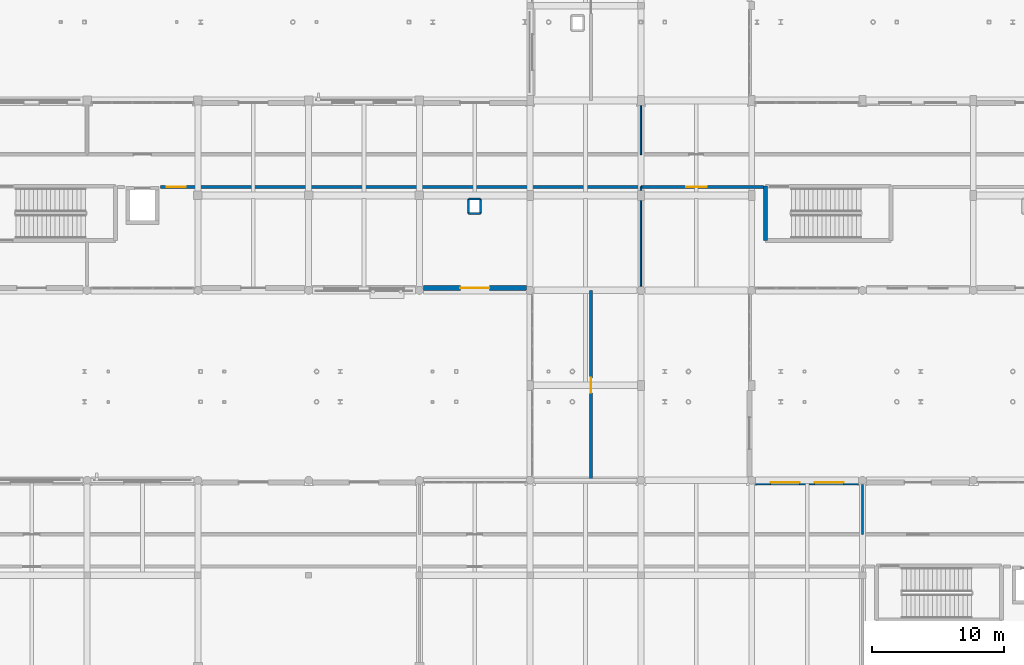
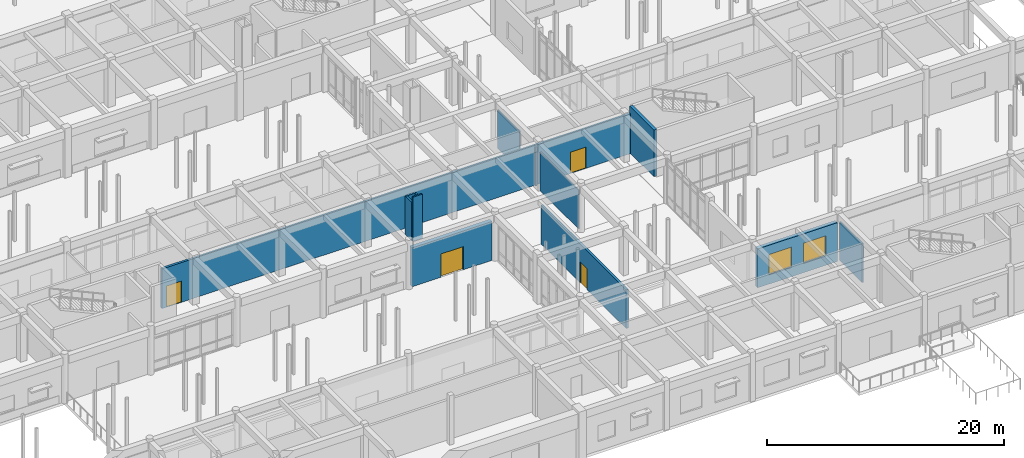
# One storey, part 76 of 121: 14 walls, 4 doors, 2 windows, 6 openings.
"""IFC4 building model written with IfcOpenShell, lengths in metres."""

from ifc_helpers import new_model, si_unit, direction, frame, frame_2d, origin, place, context, subcontext, project, spatial, rectangle, extrude, material, layer, layer_set, type_object, element, fill, save


model = new_model("IFC4")

# Units and contexts
model_context = context("Model", 3, precision=1e-05, world=origin(), true_north=direction((0.0, 1.0)))
body_context = subcontext(model_context, "Body", "Model", "MODEL_VIEW")
ifc_project = project(units=[si_unit("LENGTHUNIT", "METRE"), si_unit("AREAUNIT", "SQUARE_METRE"), si_unit("VOLUMEUNIT", "CUBIC_METRE"), si_unit("PLANEANGLEUNIT", "RADIAN"), si_unit("MASSUNIT", "GRAM", prefix="KILO")], contexts=[model_context])

# Site, building, storey
site_placement = place(None, origin())
site = spatial("IfcSite", under=ifc_project, at=site_placement, CompositionType="ELEMENT")
building_placement = place(site_placement, origin())
building = spatial("IfcBuilding", under=site, at=building_placement, Name="Malvenik Polytechnic", CompositionType="ELEMENT")
storey_placement = place(building_placement, origin())
storey = spatial("IfcBuildingStorey", under=building, at=storey_placement, Name="L00", CompositionType="ELEMENT", Elevation=0.0)

# Wall
ifc_material_1 = material(Name="Concrete C35/45", Category="concrete")
ifc_layer_1 = layer(ifc_material_1, 0.300048828125)
ifc_layer_set_1 = layer_set([ifc_layer_1], Name="Concrete C35/45")
wall_type_1 = type_object("IfcWallType", Name="ARC-CW-S300", PredefinedType="SHEAR", material=ifc_layer_set_1)
wall_1_placement = place(storey_placement, frame((93.449951171875, 54.199951171875, 0.0), z_axis=(0.0, 0.0, 1.0), x_axis=(0.0, 1.0, 0.0)))
element("IfcWall", 1, at=wall_1_placement, inside=storey, type_object=wall_type_1, Name="Stair Core Shear Wall ST-07 L00 NEAR", PredefinedType="SHEAR", context=body_context, shape_type="SweptSolid", body=[
    extrude(rectangle(XDim=4.10009765625, YDim=0.300048828125, at=frame_2d((2.050048828125, 0.0))), origin(), (0.0, 0.0, 1.0), 4.820068359375),
])

# Wall, opening, door
ifc_material_2 = material(Name="Concrete C30/37", Category="concrete")
ifc_layer_2 = layer(ifc_material_2, 0.3798828125)
ifc_layer_set_2 = layer_set([ifc_layer_2], Name="Concrete C30/37")
wall_type_2 = type_object("IfcWallType", Name="ARC-EW-380", PredefinedType="SOLIDWALL", material=ifc_layer_set_2)
wall_2_placement = place(storey_placement, frame((75.302001953125, 50.570068359375, 0.0), z_axis=(0.0, 0.0, 1.0), x_axis=(-1.0, 0.0, 0.0)))
wall_2 = element("IfcWall", 2, at=wall_2_placement, inside=storey, type_object=wall_type_2, Name="External Facade Wall EW-01 L00 #36", PredefinedType="SOLIDWALL", context=body_context, shape_type="SweptSolid", body=[
    extrude(rectangle(XDim=7.803955078125, YDim=0.3798828125, at=frame_2d((3.90185546875, 0.0))), origin(), (0.0, 0.0, 1.0), 4.010009765625),
])
opening_1_placement = place(wall_2_placement, frame((2.802001953125, 0.0, 0.0)))
opening_1 = element("IfcOpeningElement", 3, at=opening_1_placement, cuts=wall_2, Name="Opening ED-02", PredefinedType="OPENING", context=body_context, shape_type="SweptSolid", body=[
    extrude(rectangle(XDim=2.199951171875, YDim=2.39990234375, at=frame_2d((1.10009765625, 1.199951171875))), frame((0.0, 0.199951171875, 0.0), z_axis=(0.0, -1.0, 0.0), x_axis=(1.0, 0.0, 0.0)), (0.0, 0.0, 1.0), 0.39990234375),
])
ifc_material_3 = material(Name="Thermally broken glazed aluminium entrance door", Category="aluminium")
door_type_1 = type_object("IfcDoorType", Name="ARC-EDR-ED-02", OperationType="NOTDEFINED", PredefinedType="DOOR", material=ifc_material_3)
door_1_placement = place(opening_1_placement, origin())
door_1 = element("IfcDoor", 4, at=door_1_placement, inside=storey, type_object=door_type_1, Name="External Door ED-02 L00 #5", OperationType="DOUBLE_DOOR_SINGLE_SWING", OverallHeight=2.39990234375, OverallWidth=2.199951171875, PredefinedType="DOOR", context=body_context, shape_type="SweptSolid", body=[
    extrude(rectangle(XDim=2.199951171875, YDim=2.39990234375, at=frame_2d((1.10009765625, 1.199951171875))), frame((0.0, 0.02490234375, 0.0), z_axis=(0.0, -1.0, 0.0), x_axis=(1.0, 0.0, 0.0)), (0.0, 0.0, 1.0), 0.050048828125),
])
fill(opening_1, door_1)

# Wall, openings, windows
wall_3_placement = place(storey_placement, frame((92.697998046875, 35.830078125, 0.0), z_axis=(0.0, 0.0, 1.0), x_axis=(1.0, 0.0, 0.0)))
wall_3 = element("IfcWall", 5, at=wall_3_placement, inside=storey, type_object=wall_type_2, Name="External Facade Wall EW-01 L00 #163", PredefinedType="SOLIDWALL", context=body_context, shape_type="SweptSolid", body=[
    extrude(rectangle(XDim=7.803955078125, YDim=0.3798828125, at=frame_2d((3.90185546875, 0.0))), origin(), (0.0, 0.0, 1.0), 4.010009765625),
])
opening_2_placement = place(wall_3_placement, frame((1.134765625, 0.0, 0.949951171875)))
opening_2 = element("IfcOpeningElement", 6, at=opening_2_placement, cuts=wall_3, Name="Opening W-02", PredefinedType="OPENING", context=body_context, shape_type="SweptSolid", body=[
    extrude(rectangle(XDim=2.199951171875, YDim=2.10009765625, at=frame_2d((1.10009765625, 1.050048828125))), frame((0.0, 0.199951171875, 0.0), z_axis=(0.0, -1.0, 0.0), x_axis=(1.0, 0.0, 0.0)), (0.0, 0.0, 1.0), 0.39990234375),
])
opening_3_placement = place(wall_3_placement, frame((4.469482421875, 0.0, 0.949951171875)))
opening_3 = element("IfcOpeningElement", 7, at=opening_3_placement, cuts=wall_3, Name="Opening W-02", PredefinedType="OPENING", context=body_context, shape_type="SweptSolid", body=[
    extrude(rectangle(XDim=2.199951171875, YDim=2.10009765625, at=frame_2d((1.10009765625, 1.050048828125))), frame((0.0, 0.199951171875, 0.0), z_axis=(0.0, -1.0, 0.0), x_axis=(1.0, 0.0, 0.0)), (0.0, 0.0, 1.0), 0.39990234375),
])
ifc_material_4 = material(Name="Thermally broken aluminium frame with low-E double glazing", Category="aluminium")
window_type = type_object("IfcWindowType", Name="ARC-WIN-W-02", PartitioningType="SINGLE_PANEL", PredefinedType="WINDOW", material=ifc_material_4)
window_1_placement = place(opening_2_placement, origin())
window_1 = element("IfcWindow", 8, at=window_1_placement, inside=storey, type_object=window_type, Name="Punched Window W-02 L00 #124", OverallHeight=2.10009765625, OverallWidth=2.199951171875, PartitioningType="SINGLE_PANEL", PredefinedType="WINDOW", context=body_context, shape_type="SweptSolid", body=[
    extrude(rectangle(XDim=2.199951171875, YDim=2.10009765625, at=frame_2d((1.10009765625, 1.050048828125))), frame((0.0, 0.030029296875, 0.0), z_axis=(0.0, -1.0, 0.0), x_axis=(1.0, 0.0, 0.0)), (0.0, 0.0, 1.0), 0.06005859375),
])
fill(opening_2, window_1)
window_2_placement = place(opening_3_placement, origin())
window_2 = element("IfcWindow", 9, at=window_2_placement, inside=storey, type_object=window_type, Name="Punched Window W-02 L00 #125", OverallHeight=2.10009765625, OverallWidth=2.199951171875, PartitioningType="SINGLE_PANEL", PredefinedType="WINDOW", context=body_context, shape_type="SweptSolid", body=[
    extrude(rectangle(XDim=2.199951171875, YDim=2.10009765625, at=frame_2d((1.10009765625, 1.050048828125))), frame((0.0, 0.030029296875, 0.0), z_axis=(0.0, -1.0, 0.0), x_axis=(1.0, 0.0, 0.0)), (0.0, 0.0, 1.0), 0.06005859375),
])
fill(opening_3, window_2)

# Wall, opening, door
ifc_material_5 = material(Name="Autoclaved aerated concrete blockwork 220mm", Category="masonry")
ifc_layer_3 = layer(ifc_material_5, 0.219970703125)
ifc_layer_set_3 = layer_set([ifc_layer_3], Name="Autoclaved aerated concrete blockwork 220mm")
wall_type_3 = type_object("IfcWallType", Name="ARC-FW-220", PredefinedType="SOLIDWALL", material=ifc_layer_set_3)
wall_4_placement = place(storey_placement, frame((84.0, 58.25, 0.0), z_axis=(0.0, 0.0, 1.0), x_axis=(-1.0, 0.0, 0.0)))
wall_4 = element("IfcWall", 10, at=wall_4_placement, inside=storey, type_object=wall_type_3, Name="Interior Partition FW-01 L00 #96", PredefinedType="SOLIDWALL", context=body_context, shape_type="SweptSolid", body=[
    extrude(rectangle(XDim=36.429931640625, YDim=0.219970703125, at=frame_2d((18.21484375, 0.0))), origin(), (0.0, 0.0, 1.0), 4.10498046875),
])
opening_4_placement = place(wall_4_placement, frame((34.530029296875, 0.0, 0.0)))
opening_4 = element("IfcOpeningElement", 11, at=opening_4_placement, cuts=wall_4, Name="Opening FD-08", PredefinedType="OPENING", context=body_context, shape_type="SweptSolid", body=[
    extrude(rectangle(XDim=1.449951171875, YDim=2.199951171875, at=frame_2d((0.72509765625, 1.10009765625))), frame((0.0, 0.1201171875, 0.0), z_axis=(0.0, -1.0, 0.0), x_axis=(1.0, 0.0, 0.0)), (0.0, 0.0, 1.0), 0.239990234375),
])
ifc_material_6 = material(Name="Fire-rated seminar corridor door", Category="steel")
door_type_2 = type_object("IfcDoorType", Name="ARC-IDR-FD-08", OperationType="NOTDEFINED", PredefinedType="DOOR", material=ifc_material_6)
door_2_placement = place(opening_4_placement, origin())
door_2 = element("IfcDoor", 12, at=door_2_placement, inside=storey, type_object=door_type_2, Name="Interior Door FD-08 L00 #45", OperationType="SINGLE_SWING_LEFT", OverallHeight=2.199951171875, OverallWidth=1.449951171875, PredefinedType="DOOR", context=body_context, shape_type="SweptSolid", body=[
    extrude(rectangle(XDim=1.449951171875, YDim=2.199951171875, at=frame_2d((0.72509765625, 1.10009765625))), frame((0.0, 0.02490234375, 0.0), z_axis=(0.0, -1.0, 0.0), x_axis=(1.0, 0.0, 0.0)), (0.0, 0.0, 1.0), 0.050048828125),
])
fill(opening_4, door_2)

wall_5_placement = place(storey_placement, frame((93.31005859375, 58.25, 0.0), z_axis=(0.0, 0.0, 1.0), x_axis=(-1.0, 0.0, 0.0)))
wall_5 = element("IfcWall", 13, at=wall_5_placement, inside=storey, type_object=wall_type_3, Name="Interior Partition FW-01 L00 #101", PredefinedType="SOLIDWALL", context=body_context, shape_type="SweptSolid", body=[
    extrude(rectangle(XDim=9.31005859375, YDim=0.219970703125, at=frame_2d((4.655029296875, 0.0))), origin(), (0.0, 0.0, 1.0), 4.10498046875),
])
opening_5_placement = place(wall_5_placement, frame((4.3349609375, 0.0, 0.0)))
opening_5 = element("IfcOpeningElement", 14, at=opening_5_placement, cuts=wall_5, Name="Opening FD-09", PredefinedType="OPENING", context=body_context, shape_type="SweptSolid", body=[
    extrude(rectangle(XDim=1.550048828125, YDim=2.199951171875, at=frame_2d((0.77490234375, 1.10009765625))), frame((0.0, 0.1201171875, 0.0), z_axis=(0.0, -1.0, 0.0), x_axis=(1.0, 0.0, 0.0)), (0.0, 0.0, 1.0), 0.239990234375),
])
ifc_material_7 = material(Name="Fire-rated studio corridor double door", Category="steel")
door_type_3 = type_object("IfcDoorType", Name="ARC-IDR-FD-09", OperationType="NOTDEFINED", PredefinedType="DOOR", material=ifc_material_7)
door_3_placement = place(opening_5_placement, origin())
door_3 = element("IfcDoor", 15, at=door_3_placement, inside=storey, type_object=door_type_3, Name="Interior Door FD-09 L00 #46", OperationType="DOUBLE_DOOR_SINGLE_SWING", OverallHeight=2.199951171875, OverallWidth=1.550048828125, PredefinedType="DOOR", context=body_context, shape_type="SweptSolid", body=[
    extrude(rectangle(XDim=1.550048828125, YDim=2.199951171875, at=frame_2d((0.77490234375, 1.10009765625))), frame((0.0, 0.02490234375, 0.0), z_axis=(0.0, -1.0, 0.0), x_axis=(1.0, 0.0, 0.0)), (0.0, 0.0, 1.0), 0.050048828125),
])
fill(opening_5, door_3)

wall_6_placement = place(storey_placement, frame((80.199951171875, 36.0, 0.0), z_axis=(0.0, 0.0, 1.0), x_axis=(0.0, 1.0, 0.0)))
wall_6 = element("IfcWall", 16, at=wall_6_placement, inside=storey, type_object=wall_type_3, Name="Interior Partition FW-01 L00 #119", PredefinedType="SOLIDWALL", context=body_context, shape_type="SweptSolid", body=[
    extrude(rectangle(XDim=14.39990234375, YDim=0.219970703125, at=frame_2d((7.199951171875, 0.0))), origin(), (0.0, 0.0, 1.0), 4.0048828125),
])
opening_6_placement = place(wall_6_placement, frame((6.625, 0.0, 0.0)))
opening_6 = element("IfcOpeningElement", 17, at=opening_6_placement, cuts=wall_6, Name="Opening FD-01", PredefinedType="OPENING", context=body_context, shape_type="SweptSolid", body=[
    extrude(rectangle(XDim=1.14990234375, YDim=2.14990234375, at=frame_2d((0.574951171875, 1.074951171875))), frame((0.0, 0.1201171875, 0.0), z_axis=(0.0, -1.0, 0.0), x_axis=(1.0, 0.0, 0.0)), (0.0, 0.0, 1.0), 0.239990234375),
])
ifc_material_8 = material(Name="Fire-rated timber acoustic corridor door", Category="wood")
door_type_4 = type_object("IfcDoorType", Name="ARC-IDR-FD-01", OperationType="NOTDEFINED", PredefinedType="DOOR", material=ifc_material_8)
door_4_placement = place(opening_6_placement, origin())
door_4 = element("IfcDoor", 18, at=door_4_placement, inside=storey, type_object=door_type_4, Name="Interior Door FD-01 L00 #56", OperationType="SINGLE_SWING_LEFT", OverallHeight=2.14990234375, OverallWidth=1.14990234375, PredefinedType="DOOR", context=body_context, shape_type="SweptSolid", body=[
    extrude(rectangle(XDim=1.14990234375, YDim=2.14990234375, at=frame_2d((0.574951171875, 1.074951171875))), frame((0.0, 0.02490234375, 0.0), z_axis=(0.0, -1.0, 0.0), x_axis=(1.0, 0.0, 0.0)), (0.0, 0.0, 1.0), 0.050048828125),
])
fill(opening_6, door_4)

# Walls
ifc_material_9 = material(Name="Lightweight gypsum partition 110mm", Category="gypsum")
ifc_layer_4 = layer(ifc_material_9, 0.110107421875)
ifc_layer_set_4 = layer_set([ifc_layer_4], Name="Lightweight gypsum partition 110mm")
wall_type_4 = type_object("IfcWallType", Name="ARC-PW-110", PredefinedType="PARTITIONING", material=ifc_layer_set_4)
wall_7_placement = place(storey_placement, frame((84.0, 60.699951171875, 0.0), z_axis=(0.0, 0.0, 1.0), x_axis=(0.0, 1.0, 0.0)))
element("IfcWall", 19, at=wall_7_placement, inside=storey, type_object=wall_type_4, Name="Interior Partition PW-04I L00 #92", PredefinedType="PARTITIONING", context=body_context, shape_type="SweptSolid", body=[
    extrude(rectangle(XDim=3.705078125, YDim=0.110107421875, at=frame_2d((1.8525390625, 0.0))), origin(), (0.0, 0.0, 1.0), 4.0048828125),
])
wall_8_placement = place(storey_placement, frame((84.0, 50.719970703125, 0.0), z_axis=(0.0, 0.0, 1.0), x_axis=(0.0, 1.0, 0.0)))
element("IfcWall", 20, at=wall_8_placement, inside=storey, type_object=wall_type_4, Name="Interior Partition PW-04I L00 #98", PredefinedType="PARTITIONING", context=body_context, shape_type="SweptSolid", body=[
    extrude(rectangle(XDim=6.485107421875, YDim=0.110107421875, at=frame_2d((3.24267578125, 0.0))), origin(), (0.0, 0.0, 1.0), 4.0048828125),
])
ifc_material_10 = material(Name="Acoustic metal-stud gypsum partition 140mm", Category="gypsum")
ifc_layer_5 = layer(ifc_material_10, 0.139892578125)
ifc_layer_set_5 = layer_set([ifc_layer_5], Name="Acoustic metal-stud gypsum partition 140mm")
wall_type_5 = type_object("IfcWallType", Name="ARC-PW-140", PredefinedType="PARTITIONING", material=ifc_layer_set_5)
wall_9_placement = place(storey_placement, frame((84.0, 57.9951171875, 0.0), z_axis=(0.0, 0.0, 1.0), x_axis=(0.0, 1.0, 0.0)))
element("IfcWall", 21, at=wall_9_placement, inside=storey, type_object=wall_type_5, Name="Interior Partition PW-02I L00 #99", PredefinedType="PARTITIONING", context=body_context, shape_type="SweptSolid", body=[
    extrude(rectangle(XDim=0.2548828125, YDim=0.139892578125, at=frame_2d((0.12744140625, 0.0))), origin(), (0.0, 0.0, 1.0), 4.0048828125),
])
wall_10_placement = place(storey_placement, frame((100.800048828125, 31.89990234375, 0.0), z_axis=(0.0, 0.0, 1.0), x_axis=(0.0, 1.0, 0.0)))
element("IfcWall", 22, at=wall_10_placement, inside=storey, type_object=wall_type_5, Name="Interior Partition PW-02I L00 #105", PredefinedType="PARTITIONING", context=body_context, shape_type="SweptSolid", body=[
    extrude(rectangle(XDim=3.780029296875, YDim=0.139892578125, at=frame_2d((1.89013671875, 0.0))), origin(), (0.0, 0.0, 1.0), 4.0048828125),
])
ifc_material_11 = material(Name="Double-stud acoustic gypsum board partition 160mm", Category="gypsum")
ifc_layer_6 = layer(ifc_material_11, 0.159912109375)
ifc_layer_set_6 = layer_set([ifc_layer_6], Name="Double-stud acoustic gypsum board partition 160mm")
wall_type_6 = type_object("IfcWallType", Name="ARC-PW-160", PredefinedType="PARTITIONING", material=ifc_layer_set_6)
wall_11_placement = place(storey_placement, frame((70.919921875, 56.219970703125, 0.0), z_axis=(0.0, 0.0, 1.0), x_axis=(1.0, 0.0, 0.0)))
element("IfcWall", 23, at=wall_11_placement, inside=storey, type_object=wall_type_6, Name="Riser Shaft Enclosure L00 #8S", PredefinedType="PARTITIONING", context=body_context, shape_type="SweptSolid", body=[
    extrude(rectangle(XDim=0.91015625, YDim=0.159912109375, at=frame_2d((0.455078125, 0.0))), origin(), (0.0, 0.0, 1.0), 4.550048828125),
])
wall_12_placement = place(storey_placement, frame((71.830078125, 57.330078125, 0.0), z_axis=(0.0, 0.0, 1.0), x_axis=(-1.0, 0.0, 0.0)))
element("IfcWall", 24, at=wall_12_placement, inside=storey, type_object=wall_type_6, Name="Riser Shaft Enclosure L00 #8N", PredefinedType="PARTITIONING", context=body_context, shape_type="SweptSolid", body=[
    extrude(rectangle(XDim=0.91015625, YDim=0.159912109375, at=frame_2d((0.455078125, 0.0))), origin(), (0.0, 0.0, 1.0), 4.0048828125),
])
for number, where, z_axis, x_axis, name in (
    (25, (70.919921875, 57.330078125, 0.0), (0.0, 0.0, 1.0), (0.0, -1.0, 0.0), "Riser Shaft Enclosure L00 #8W"),
    (26, (71.830078125, 56.219970703125, 0.0), (0.0, 0.0, 1.0), (0.0, 1.0, 0.0), "Riser Shaft Enclosure L00 #8E"),
):
    element("IfcWall", number, at=place(storey_placement, frame(where, z_axis=z_axis, x_axis=x_axis)), inside=storey, type_object=wall_type_6, Name=name, PredefinedType="PARTITIONING", context=body_context, shape_type="SweptSolid", body=[
        extrude(rectangle(XDim=1.110107421875, YDim=0.159912109375, at=frame_2d((0.55517578125, 0.0))), origin(), (0.0, 0.0, 1.0), 4.0048828125),
    ])

save(model, "model.ifc")
